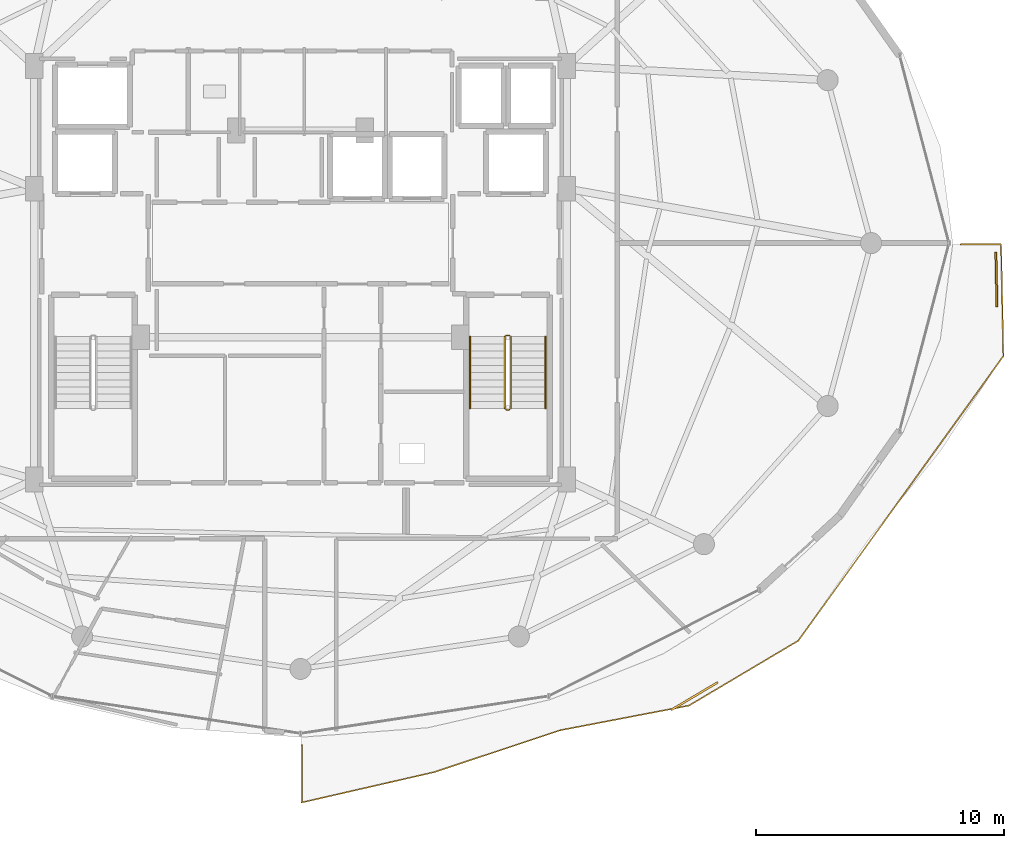
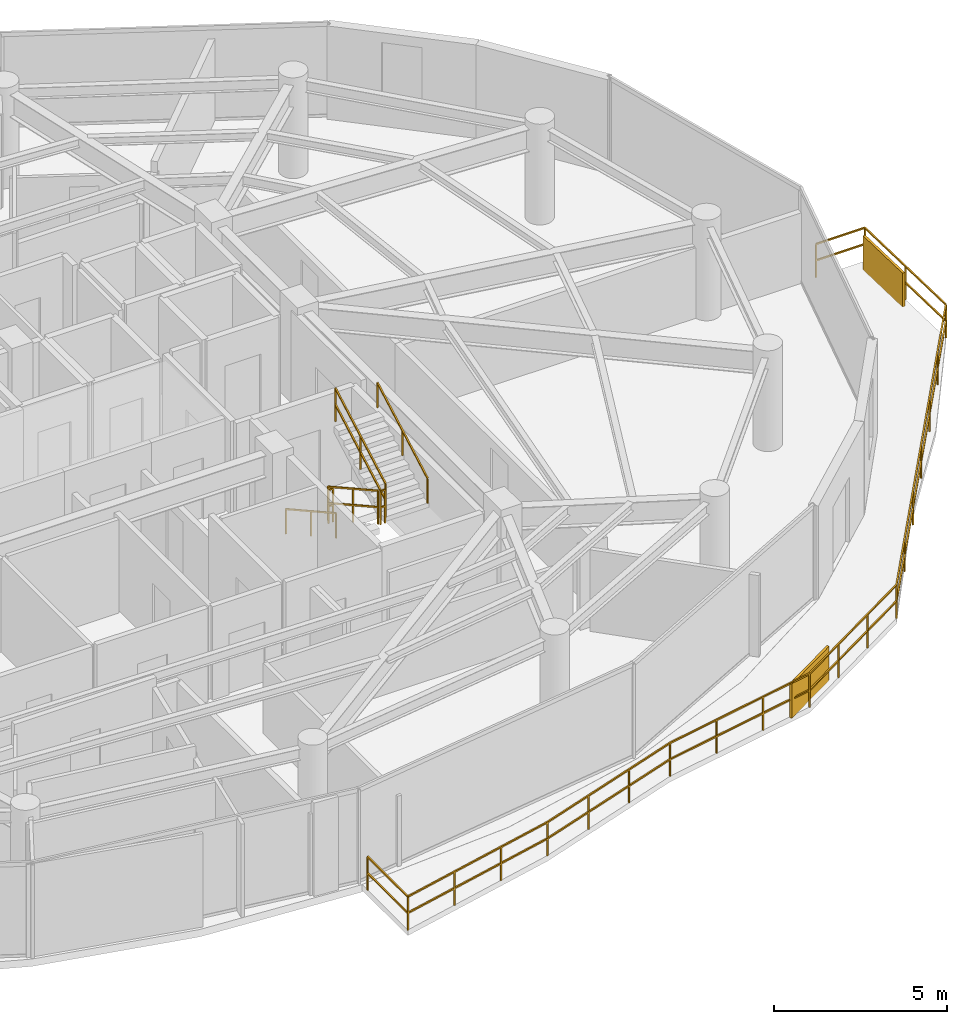
# One storey, part 27 of 29: 8 railings, 2 shading devices.
"""IFC4 building model written with IfcOpenShell, lengths in metres."""

from ifc_helpers import new_model, si_unit, direction, frame, origin, origin_2d, place, context, subcontext, project, spatial, rectangle, extrude, material, type_object, element, save


model = new_model("IFC4")

# Units and contexts
model_context = context("Model", 3, precision=1e-05, world=origin(), true_north=direction((0.0, 1.0)))
body_context = subcontext(model_context, "Body", "Model", "MODEL_VIEW")
ifc_project = project(units=[si_unit("LENGTHUNIT", "METRE"), si_unit("AREAUNIT", "SQUARE_METRE"), si_unit("VOLUMEUNIT", "CUBIC_METRE"), si_unit("PLANEANGLEUNIT", "RADIAN"), si_unit("MASSUNIT", "GRAM", prefix="KILO")], contexts=[model_context])

# Site, building, storey
site_placement = place(None, origin())
site = spatial("IfcSite", under=ifc_project, at=site_placement, CompositionType="ELEMENT")
building_placement = place(site_placement, origin())
building = spatial("IfcBuilding", under=site, at=building_placement, Name="Vorneva Point Tower", CompositionType="ELEMENT")
storey_placement = place(building_placement, frame((0.0, 0.0, 273.300048828125)))
storey = spatial("IfcBuildingStorey", under=building, at=storey_placement, Name="L74", CompositionType="ELEMENT", Elevation=273.300048828125)

# Railings
ifc_material_1 = material(Name="Pale anodised aluminium", Category="aluminium")
railing_type_1 = type_object("IfcRailingType", Name="RL-BAL-1200", PredefinedType="BALUSTRADE", material=ifc_material_1)
railing_1_placement = place(storey_placement, frame((66.393798828125, 21.436279296875, 0.0)))
element("IfcRailing", 1, at=railing_1_placement, inside=storey, type_object=railing_type_1, Name="L74 Wave Balcony Balustrade SE.1", PredefinedType="BALUSTRADE", context=body_context, shape_type="SweptSolid", body=[
    extrude(rectangle(XDim=0.048095703125, YDim=0.048095703125, at=origin_2d()), frame((0.0, 0.0, 1.17578125), z_axis=(-0.020549532546, 0.999788836061, 0.0), x_axis=(-0.999788836061, -0.020549532546, 0.0)), (0.0, 0.0, 1.0), 4.5146484375),
    extrude(rectangle(XDim=0.048095703125, YDim=0.048095703125, at=origin_2d()), frame((0.0, 0.0, 0.60009765625), z_axis=(-0.020549532546, 0.999788836061, 0.0), x_axis=(-0.999788836061, -0.020549532546, 0.0)), (0.0, 0.0, 1.0), 4.5146484375),
    extrude(rectangle(XDim=0.048095703125, YDim=0.048095703125, at=origin_2d()), frame((-0.0927734375, 4.513671875, 1.17578125), z_axis=(-1.0, 0.0, 0.0), x_axis=(0.0, -1.0, 0.0)), (0.0, 0.0, 1.0), 1.634765625),
    extrude(rectangle(XDim=0.048095703125, YDim=0.048095703125, at=origin_2d()), frame((-0.0927734375, 4.513671875, 0.60009765625), z_axis=(-1.0, 0.0, 0.0), x_axis=(0.0, -1.0, 0.0)), (0.0, 0.0, 1.0), 1.634765625),
    extrude(rectangle(XDim=0.0419921875, YDim=0.0419921875, at=origin_2d()), origin(), (0.0, 0.0, 1.0), 1.15185546875),
    extrude(rectangle(XDim=0.0419921875, YDim=0.0419921875, at=origin_2d()), frame((-0.04638671875, 2.2568359375, 0.0)), (0.0, 0.0, 1.0), 1.15185546875),
    extrude(rectangle(XDim=0.0419921875, YDim=0.0419921875, at=origin_2d()), frame((-0.0927734375, 4.513671875, 0.0)), (0.0, 0.0, 1.0), 1.15185546875),
    extrude(rectangle(XDim=0.0419921875, YDim=0.0419921875, at=origin_2d()), frame((-1.7275390625, 4.513671875, 0.0)), (0.0, 0.0, 1.0), 1.15185546875),
])
railing_2_placement = place(storey_placement, frame((38.050048828125, 5.722900390625, 0.0)))
element("IfcRailing", 2, at=railing_2_placement, inside=storey, type_object=railing_type_1, Name="L74 Wave Balcony Balustrade SE.2", PredefinedType="BALUSTRADE", context=body_context, shape_type="SweptSolid", body=[
    extrude(rectangle(XDim=0.048095703125, YDim=0.048095703125, at=origin_2d()), frame((0.0, 0.0, 1.17578125), z_axis=(0.0, -1.0, 0.0), x_axis=(1.0, 0.0, 0.0)), (0.0, 0.0, 1.0), 2.3212890625),
    extrude(rectangle(XDim=0.048095703125, YDim=0.048095703125, at=origin_2d()), frame((0.0, 0.0, 0.60009765625), z_axis=(0.0, -1.0, 0.0), x_axis=(1.0, 0.0, 0.0)), (0.0, 0.0, 1.0), 2.3212890625),
    extrude(rectangle(XDim=0.048095703125, YDim=0.048095703125, at=origin_2d()), frame((0.0, -2.3212890625, 1.17578125), z_axis=(0.974723055211, 0.223416574227, 0.0), x_axis=(-0.223416574227, 0.974723055211, 0.0)), (0.0, 0.0, 1.0), 5.499755859375),
    extrude(rectangle(XDim=0.048095703125, YDim=0.048095703125, at=origin_2d()), frame((0.0, -2.3212890625, 0.60009765625), z_axis=(0.974723055211, 0.223416574227, 0.0), x_axis=(-0.223416574227, 0.974723055211, 0.0)), (0.0, 0.0, 1.0), 5.499755859375),
    extrude(rectangle(XDim=0.048095703125, YDim=0.048095703125, at=origin_2d()), frame((5.36083984375, -1.092529296875, 1.17578125), z_axis=(0.94880218578, 0.315870879093, 0.0), x_axis=(-0.315870879093, 0.94880218578, 0.0)), (0.0, 0.0, 1.0), 5.336181640625),
    extrude(rectangle(XDim=0.048095703125, YDim=0.048095703125, at=origin_2d()), frame((5.36083984375, -1.092529296875, 0.60009765625), z_axis=(0.94880218578, 0.315870879093, 0.0), x_axis=(-0.315870879093, 0.94880218578, 0.0)), (0.0, 0.0, 1.0), 5.336181640625),
    extrude(rectangle(XDim=0.048095703125, YDim=0.048095703125, at=origin_2d()), frame((10.423828125, 0.593017578125, 1.17578125), z_axis=(0.982117634972, 0.188268295464, 0.0), x_axis=(-0.188268295464, 0.982117634972, 0.0)), (0.0, 0.0, 1.0), 5.316650390625),
    extrude(rectangle(XDim=0.048095703125, YDim=0.048095703125, at=origin_2d()), frame((10.423828125, 0.593017578125, 0.60009765625), z_axis=(0.982117634972, 0.188268295464, 0.0), x_axis=(-0.188268295464, 0.982117634972, 0.0)), (0.0, 0.0, 1.0), 5.316650390625),
    extrude(rectangle(XDim=0.048095703125, YDim=0.048095703125, at=origin_2d()), frame((15.6455078125, 1.593994140625, 1.17578125), z_axis=(0.85984691298, 0.510551942743, 0.0), x_axis=(-0.510551942743, 0.85984691298, 0.0)), (0.0, 0.0, 1.0), 5.13232421875),
    extrude(rectangle(XDim=0.048095703125, YDim=0.048095703125, at=origin_2d()), frame((15.6455078125, 1.593994140625, 0.60009765625), z_axis=(0.85984691298, 0.510551942743, 0.0), x_axis=(-0.510551942743, 0.85984691298, 0.0)), (0.0, 0.0, 1.0), 5.13232421875),
    extrude(rectangle(XDim=0.048095703125, YDim=0.048095703125, at=origin_2d()), frame((20.05859375, 4.21435546875, 1.17578125), z_axis=(0.584576966911, 0.811338258531, 0.0), x_axis=(-0.811338258531, 0.584576966911, 0.0)), (0.0, 0.0, 1.0), 14.1728515625),
    extrude(rectangle(XDim=0.048095703125, YDim=0.048095703125, at=origin_2d()), frame((20.05859375, 4.21435546875, 0.60009765625), z_axis=(0.584576966911, 0.811338258531, 0.0), x_axis=(-0.811338258531, 0.584576966911, 0.0)), (0.0, 0.0, 1.0), 14.1728515625),
    extrude(rectangle(XDim=0.0419921875, YDim=0.0419921875, at=origin_2d()), origin(), (0.0, 0.0, 1.0), 1.15185546875),
    extrude(rectangle(XDim=0.0419921875, YDim=0.0419921875, at=origin_2d()), frame((0.0, -2.3212890625, 0.0)), (0.0, 0.0, 1.0), 1.15185546875),
    extrude(rectangle(XDim=0.0419921875, YDim=0.0419921875, at=origin_2d()), frame((1.786865234375, -1.91162109375, 0.0)), (0.0, 0.0, 1.0), 1.15185546875),
    extrude(rectangle(XDim=0.0419921875, YDim=0.0419921875, at=origin_2d()), frame((3.573974609375, -1.502197265625, 0.0)), (0.0, 0.0, 1.0), 1.15185546875),
    extrude(rectangle(XDim=0.0419921875, YDim=0.0419921875, at=origin_2d()), frame((5.36083984375, -1.092529296875, 0.0)), (0.0, 0.0, 1.0), 1.15185546875),
    extrude(rectangle(XDim=0.0419921875, YDim=0.0419921875, at=origin_2d()), frame((7.048583984375, -0.53076171875, 0.0)), (0.0, 0.0, 1.0), 1.15185546875),
    extrude(rectangle(XDim=0.0419921875, YDim=0.0419921875, at=origin_2d()), frame((8.736083984375, 0.03125, 0.0)), (0.0, 0.0, 1.0), 1.15185546875),
    extrude(rectangle(XDim=0.0419921875, YDim=0.0419921875, at=origin_2d()), frame((10.423828125, 0.593017578125, 0.0)), (0.0, 0.0, 1.0), 1.15185546875),
    extrude(rectangle(XDim=0.0419921875, YDim=0.0419921875, at=origin_2d()), frame((12.164306640625, 0.9267578125, 0.0)), (0.0, 0.0, 1.0), 1.15185546875),
    extrude(rectangle(XDim=0.0419921875, YDim=0.0419921875, at=origin_2d()), frame((13.905029296875, 1.26025390625, 0.0)), (0.0, 0.0, 1.0), 1.15185546875),
    extrude(rectangle(XDim=0.0419921875, YDim=0.0419921875, at=origin_2d()), frame((15.6455078125, 1.593994140625, 0.0)), (0.0, 0.0, 1.0), 1.15185546875),
    extrude(rectangle(XDim=0.0419921875, YDim=0.0419921875, at=origin_2d()), frame((17.116455078125, 2.467529296875, 0.0)), (0.0, 0.0, 1.0), 1.15185546875),
    extrude(rectangle(XDim=0.0419921875, YDim=0.0419921875, at=origin_2d()), frame((18.587646484375, 3.3408203125, 0.0)), (0.0, 0.0, 1.0), 1.15185546875),
    extrude(rectangle(XDim=0.0419921875, YDim=0.0419921875, at=origin_2d()), frame((20.05859375, 4.21435546875, 0.0)), (0.0, 0.0, 1.0), 1.15185546875),
    extrude(rectangle(XDim=0.0419921875, YDim=0.0419921875, at=origin_2d()), frame((21.439453125, 6.130859375, 0.0)), (0.0, 0.0, 1.0), 1.15185546875),
    extrude(rectangle(XDim=0.0419921875, YDim=0.0419921875, at=origin_2d()), frame((22.8203125, 8.04736328125, 0.0)), (0.0, 0.0, 1.0), 1.15185546875),
    extrude(rectangle(XDim=0.0419921875, YDim=0.0419921875, at=origin_2d()), frame((24.201171875, 9.9638671875, 0.0)), (0.0, 0.0, 1.0), 1.15185546875),
    extrude(rectangle(XDim=0.0419921875, YDim=0.0419921875, at=origin_2d()), frame((25.58203125, 11.88037109375, 0.0)), (0.0, 0.0, 1.0), 1.15185546875),
    extrude(rectangle(XDim=0.0419921875, YDim=0.0419921875, at=origin_2d()), frame((26.962890625, 13.796875, 0.0)), (0.0, 0.0, 1.0), 1.15185546875),
    extrude(rectangle(XDim=0.0419921875, YDim=0.0419921875, at=origin_2d()), frame((28.34375, 15.71337890625, 0.0)), (0.0, 0.0, 1.0), 1.15185546875),
])
ifc_material_2 = material(Name="Brushed stainless steel S304", Category="steel")
railing_type_2 = type_object("IfcRailingType", Name="RL-HND-920", PredefinedType="HANDRAIL", material=ifc_material_2)
railing_3_placement = place(storey_placement, frame((44.85009765625, 22.219970703125, 0.161376953125)))
element("IfcRailing", 3, at=railing_3_placement, inside=storey, type_object=railing_type_2, Name="L74 ST2 stair handrail 1", PredefinedType="HANDRAIL", context=body_context, shape_type="SweptSolid", body=[
    extrude(rectangle(XDim=0.048095703125, YDim=0.048095703125, at=origin_2d()), frame((0.0, 0.0, 0.8759765625), z_axis=(0.0, -0.873841303929, 0.486211245805), x_axis=(1.0, 0.0, 0.0)), (0.0, 0.0, 1.0), 3.318603515625),
    extrude(rectangle(XDim=0.0419921875, YDim=0.0419921875, at=origin_2d()), origin(), (0.0, 0.0, 1.0), 0.851806640625),
    extrude(rectangle(XDim=0.0419921875, YDim=0.0419921875, at=origin_2d()), frame((0.0, -1.449951171875, 0.806640625)), (0.0, 0.0, 1.0), 0.851806640625),
    extrude(rectangle(XDim=0.0419921875, YDim=0.0419921875, at=origin_2d()), frame((0.0, -2.89990234375, 1.613525390625)), (0.0, 0.0, 1.0), 0.851806640625),
])
railing_4_placement = place(storey_placement, frame((47.89990234375, 19.320068359375, 1.936279296875)))
element("IfcRailing", 4, at=railing_4_placement, inside=storey, type_object=railing_type_2, Name="L74 ST2 stair handrail 2", PredefinedType="HANDRAIL", context=body_context, shape_type="SweptSolid", body=[
    extrude(rectangle(XDim=0.048095703125, YDim=0.048095703125, at=origin_2d()), frame((0.0, 0.0, 0.8759765625), z_axis=(0.0, 0.873810046276, 0.486267419253), x_axis=(-1.0, 0.0, 0.0)), (0.0, 0.0, 1.0), 3.318603515625),
    extrude(rectangle(XDim=0.0419921875, YDim=0.0419921875, at=origin_2d()), origin(), (0.0, 0.0, 1.0), 0.851806640625),
    extrude(rectangle(XDim=0.0419921875, YDim=0.0419921875, at=origin_2d()), frame((0.0, 1.449951171875, 0.806884765625)), (0.0, 0.0, 1.0), 0.851806640625),
    extrude(rectangle(XDim=0.0419921875, YDim=0.0419921875, at=origin_2d()), frame((0.0, 2.89990234375, 1.61376953125)), (0.0, 0.0, 1.0), 0.851806640625),
])
railing_type_3 = type_object("IfcRailingType", Name="RL-STG-1100", PredefinedType="GUARDRAIL", material=ifc_material_2)
railing_5_placement = place(storey_placement, frame((46.25, 22.219970703125, 0.161376953125)))
element("IfcRailing", 5, at=railing_5_placement, inside=storey, type_object=railing_type_3, Name="L74 ST2 stair guard 1", PredefinedType="GUARDRAIL", context=body_context, shape_type="SweptSolid", body=[
    extrude(rectangle(XDim=0.048095703125, YDim=0.048095703125, at=origin_2d()), frame((0.0, 0.0, 1.17578125), z_axis=(0.0, -0.873841303929, 0.486211245805), x_axis=(1.0, 0.0, 0.0)), (0.0, 0.0, 1.0), 3.318603515625),
    extrude(rectangle(XDim=0.048095703125, YDim=0.048095703125, at=origin_2d()), frame((0.0, 0.0, 0.60009765625), z_axis=(0.0, -0.873841303929, 0.486211245805), x_axis=(1.0, 0.0, 0.0)), (0.0, 0.0, 1.0), 3.318603515625),
    extrude(rectangle(XDim=0.0419921875, YDim=0.0419921875, at=origin_2d()), origin(), (0.0, 0.0, 1.0), 1.15185546875),
    extrude(rectangle(XDim=0.0419921875, YDim=0.0419921875, at=origin_2d()), frame((0.0, -1.449951171875, 0.806640625)), (0.0, 0.0, 1.0), 1.15185546875),
    extrude(rectangle(XDim=0.0419921875, YDim=0.0419921875, at=origin_2d()), frame((0.0, -2.89990234375, 1.613525390625)), (0.0, 0.0, 1.0), 1.15185546875),
])
railing_6_placement = place(storey_placement, frame((46.300048828125, 19.27001953125, 1.77490234375)))
element("IfcRailing", 6, at=railing_6_placement, inside=storey, type_object=railing_type_3, Name="L74 ST2 stair guard 2", PredefinedType="GUARDRAIL", context=body_context, shape_type="SweptSolid", body=[
    extrude(rectangle(XDim=0.048095703125, YDim=0.048095703125, at=origin_2d()), frame((0.0, 0.0, 1.17578125), z_axis=(1.0, 0.0, 0.0), x_axis=(0.0, 1.0, 0.0)), (0.0, 0.0, 1.0), 0.14990234375),
    extrude(rectangle(XDim=0.048095703125, YDim=0.048095703125, at=origin_2d()), frame((0.0, 0.0, 0.60009765625), z_axis=(1.0, 0.0, 0.0), x_axis=(0.0, 1.0, 0.0)), (0.0, 0.0, 1.0), 0.14990234375),
    extrude(rectangle(XDim=0.0419921875, YDim=0.0419921875, at=origin_2d()), origin(), (0.0, 0.0, 1.0), 1.15185546875),
    extrude(rectangle(XDim=0.0419921875, YDim=0.0419921875, at=origin_2d()), frame((0.14990234375, 0.0, 0.0)), (0.0, 0.0, 1.0), 1.15185546875),
])
railing_7_placement = place(storey_placement, frame((46.5, 19.320068359375, 1.936279296875)))
element("IfcRailing", 7, at=railing_7_placement, inside=storey, type_object=railing_type_3, Name="L74 ST2 stair guard 3", PredefinedType="GUARDRAIL", context=body_context, shape_type="SweptSolid", body=[
    extrude(rectangle(XDim=0.048095703125, YDim=0.048095703125, at=origin_2d()), frame((0.0, 0.0, 1.17578125), z_axis=(0.0, 0.873810046276, 0.486267419253), x_axis=(-1.0, 0.0, 0.0)), (0.0, 0.0, 1.0), 3.318603515625),
    extrude(rectangle(XDim=0.048095703125, YDim=0.048095703125, at=origin_2d()), frame((0.0, 0.0, 0.60009765625), z_axis=(0.0, 0.873810046276, 0.486267419253), x_axis=(-1.0, 0.0, 0.0)), (0.0, 0.0, 1.0), 3.318603515625),
    extrude(rectangle(XDim=0.0419921875, YDim=0.0419921875, at=origin_2d()), origin(), (0.0, 0.0, 1.0), 1.15185546875),
    extrude(rectangle(XDim=0.0419921875, YDim=0.0419921875, at=origin_2d()), frame((0.0, 1.449951171875, 0.806884765625)), (0.0, 0.0, 1.0), 1.15185546875),
    extrude(rectangle(XDim=0.0419921875, YDim=0.0419921875, at=origin_2d()), frame((0.0, 2.89990234375, 1.61376953125)), (0.0, 0.0, 1.0), 1.15185546875),
])
railing_8_placement = place(storey_placement, frame((46.300048828125, 22.27001953125, 0.0)))
element("IfcRailing", 8, at=railing_8_placement, inside=storey, type_object=railing_type_3, Name="L74 ST2 stair guard 4", PredefinedType="GUARDRAIL", context=body_context, shape_type="SweptSolid", body=[
    extrude(rectangle(XDim=0.048095703125, YDim=0.048095703125, at=origin_2d()), frame((0.0, 0.0, 1.17578125), z_axis=(1.0, 0.0, 0.0), x_axis=(0.0, 1.0, 0.0)), (0.0, 0.0, 1.0), 0.14990234375),
    extrude(rectangle(XDim=0.048095703125, YDim=0.048095703125, at=origin_2d()), frame((0.0, 0.0, 0.60009765625), z_axis=(1.0, 0.0, 0.0), x_axis=(0.0, 1.0, 0.0)), (0.0, 0.0, 1.0), 0.14990234375),
    extrude(rectangle(XDim=0.0419921875, YDim=0.0419921875, at=origin_2d()), origin(), (0.0, 0.0, 1.0), 1.15185546875),
    extrude(rectangle(XDim=0.0419921875, YDim=0.0419921875, at=origin_2d()), frame((0.14990234375, 0.0, 0.0)), (0.0, 0.0, 1.0), 1.15185546875),
])

# Shading devices
shading_device_type = type_object("IfcShadingDeviceType", Name="SHD-JAL-1200", PredefinedType="JALOUSIE", material=ifc_material_1)
for number, where, z_axis, x_axis, name in (
    (9, (66.11083984375, 24.52197265625, -0.02001953125), (0.0, 0.0, 1.0), (-0.020558530125, 0.999788651085, 0.0), "L74 Balcony Vertical-Greenery Planter Screen SE.1"),
    (10, (53.913818359375, 7.6982421875, -0.02001953125), (0.0, 0.0, 1.0), (0.859861182121, 0.510527910581, 0.0), "L74 Balcony Vertical-Greenery Planter Screen SE.2"),
):
    element("IfcShadingDevice", number, at=place(storey_placement, frame(where, z_axis=z_axis, x_axis=x_axis)), inside=storey, type_object=shading_device_type, Name=name, PredefinedType="JALOUSIE", context=body_context, shape_type="SweptSolid", body=[
        extrude(rectangle(XDim=2.199951171875, YDim=0.080078125, at=origin_2d()), origin(), (0.0, 0.0, 1.0), 1.199951171875),
    ])

save(model, "model.ifc")
